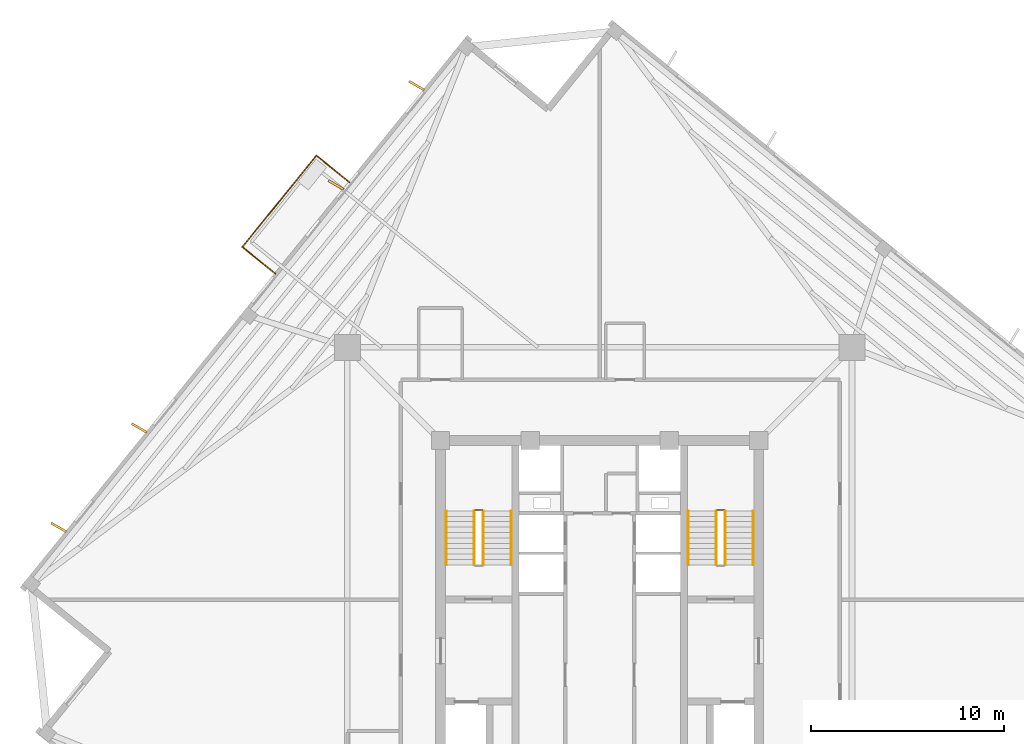
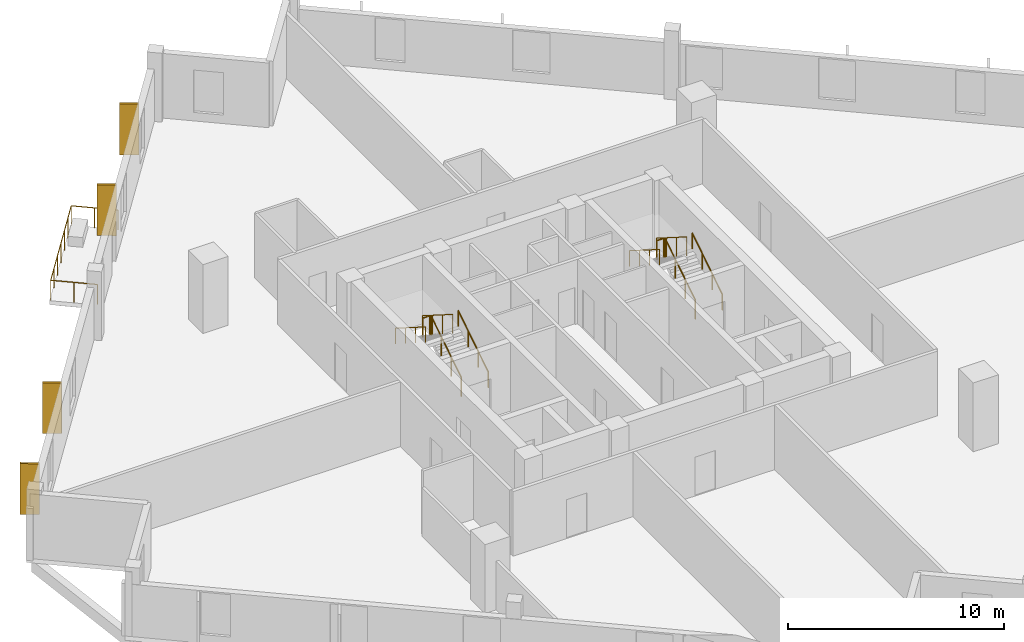
# One storey, part 8 of 9: 13 railings, 4 coverings.
"""IFC4 building model written with IfcOpenShell, lengths in metres."""

from ifc_helpers import new_model, si_unit, direction, frame, origin, origin_2d, place, context, subcontext, project, spatial, rectangle, circle, extrude, source, transform, mapped, material, layer, layer_set, type_object, element, save


model = new_model("IFC4")

# Units and contexts
model_context = context("Model", 3, precision=1e-05, world=origin(), true_north=direction((0.0, 1.0)))
body_context = subcontext(model_context, "Body", "Model", "MODEL_VIEW")
ifc_project = project(units=[si_unit("LENGTHUNIT", "METRE"), si_unit("AREAUNIT", "SQUARE_METRE"), si_unit("VOLUMEUNIT", "CUBIC_METRE"), si_unit("PLANEANGLEUNIT", "RADIAN"), si_unit("MASSUNIT", "GRAM", prefix="KILO"), si_unit("THERMODYNAMICTEMPERATUREUNIT", "KELVIN")], contexts=[model_context])

# Site, building, storey
site_placement = place(None, origin())
site = spatial("IfcSite", under=ifc_project, at=site_placement, CompositionType="ELEMENT")
building_placement = place(site_placement, origin())
building = spatial("IfcBuilding", under=site, at=building_placement, Name="Kosmvard Interchange Tower", CompositionType="ELEMENT")
storey_placement = place(building_placement, frame((0.0, 0.0, 248.5)))
storey = spatial("IfcBuildingStorey", under=building, at=storey_placement, Name="L60", CompositionType="ELEMENT", Elevation=248.5)

# Railings
ifc_material_1 = material(Name="Steel S355", Category="steel")
railing_type_1 = type_object("IfcRailingType", Name="Observation & Balcony Glass-Infill Balustrade 1150", PredefinedType="BALUSTRADE", material=ifc_material_1)
shared_shape_1 = source(origin(), body_context, "Body", "SweptSolid", [
    extrude(circle(Radius=0.02392578125, at=origin_2d()), frame((0.0, 0.0, 1.1259765625), z_axis=(0.777195763313, -0.629258885904, 0.0), x_axis=(0.629258885904, 0.777195763313, 0.0)), (0.0, 0.0, 1.0), 2.199951171875),
    extrude(circle(Radius=0.02099609375, at=origin_2d()), origin(), (0.0, 0.0, 1.0), 1.101806640625),
    extrude(circle(Radius=0.02099609375, at=origin_2d()), frame((0.85498046875, -0.692138671875, 0.0)), (0.0, 0.0, 1.0), 1.101806640625),
    extrude(circle(Radius=0.02099609375, at=origin_2d()), frame((1.709716796875, -1.38427734375, 0.0)), (0.0, 0.0, 1.0), 1.101806640625),
])
railing_1_placement = place(storey_placement, frame((-18.523193359375, 18.281005859375, 0.0)))
element("IfcRailing", 1, at=railing_1_placement, inside=storey, type_object=railing_type_1, Name="L60 Outdoor Terrace Guard BAL-L60-N-C", PredefinedType="BALUSTRADE", context=body_context, shape_type="MappedRepresentation", body=[
    mapped(shared_shape_1, transform((0.0, 0.0, 0.0), scale=1.0)),
])
shared_shape_2 = source(origin(), body_context, "Body", "SweptSolid", [
    extrude(circle(Radius=0.02392578125, at=origin_2d()), frame((0.0, 0.0, 1.1259765625), z_axis=(-0.777141488432, 0.629325914736, 0.0), x_axis=(-0.629325914736, -0.777141488432, 0.0)), (0.0, 0.0, 1.0), 2.199951171875),
    extrude(circle(Radius=0.02099609375, at=origin_2d()), origin(), (0.0, 0.0, 1.0), 1.101806640625),
    extrude(circle(Radius=0.02099609375, at=origin_2d()), frame((-0.85498046875, 0.6923828125, 0.0)), (0.0, 0.0, 1.0), 1.101806640625),
    extrude(circle(Radius=0.02099609375, at=origin_2d()), frame((-1.709716796875, 1.384521484375, 0.0)), (0.0, 0.0, 1.0), 1.101806640625),
])
railing_2_placement = place(storey_placement, frame((-12.974853515625, 21.63720703125, 0.0)))
element("IfcRailing", 2, at=railing_2_placement, inside=storey, type_object=railing_type_1, Name="L60 Outdoor Terrace Guard BAL-L60-N-A", PredefinedType="BALUSTRADE", context=body_context, shape_type="MappedRepresentation", body=[
    mapped(shared_shape_2, transform((0.0, 0.0, 0.0), scale=1.0)),
])

# Coverings
ifc_material_2 = material(Name="Architectural anodised aluminium", Category="aluminium")
ifc_layer = layer(ifc_material_2, 0.1201171875, Name="Architectural anodised aluminium")
ifc_layer_set = layer_set([ifc_layer], Name="Architectural anodised aluminium")
covering_type = type_object("IfcCoveringType", Name="Rotating Vertical Sun-Breaker Fin 900x120 Aluminium", PredefinedType="CLADDING", material=ifc_layer_set)
shared_shape_3 = source(origin(), body_context, "Body", "SweptSolid", [
    extrude(rectangle(XDim=0.89990234375, YDim=0.1201171875, at=origin_2d()), origin(), (0.0, 0.0, 1.0), 2.8798828125),
])
for number, where, z_axis, x_axis, name in (
    (3, (-9.494384765625, 26.650146484375, 0.0400390625), (0.0, 0.0, 1.0), (-0.864186995248, 0.503170783377, 0.0), "L60 Rotating Vertical Sun-Breaker Fin 09"),
    (4, (-13.66748046875, 21.49658203125, 0.0400390625), (0.0, 0.0, 1.0), (-0.864186995248, 0.503170783377, 0.0), "L60 Rotating Vertical Sun-Breaker Fin 10"),
    (5, (-23.86865234375, 8.8994140625, 0.0400390625), (0.0, 0.0, 1.0), (-0.864186995248, 0.503170783377, 0.0), "L60 Rotating Vertical Sun-Breaker Fin 11"),
    (6, (-28.041748046875, 3.74609375, 0.0400390625), (0.0, 0.0, 1.0), (-0.864186995248, 0.503170783377, 0.0), "L60 Rotating Vertical Sun-Breaker Fin 12"),
):
    element("IfcCovering", number, at=place(storey_placement, frame(where, z_axis=z_axis, x_axis=x_axis)), inside=storey, type_object=covering_type, Name=name, PredefinedType="CLADDING", context=body_context, shape_type="MappedRepresentation", body=[
        mapped(shared_shape_3, transform((0.0, 0.0, 0.0), scale=1.0)),
    ])

# Railings
shared_shape_4 = source(origin(), body_context, "Body", "SweptSolid", [
    extrude(circle(Radius=0.02392578125, at=origin_2d()), frame((0.0, 0.0, 1.1259765625), z_axis=(-0.629286879001, -0.777173097783, 0.0), x_axis=(0.777173097783, -0.629286879001, 0.0)), (0.0, 0.0, 1.0), 6.099853515625),
    extrude(circle(Radius=0.02099609375, at=origin_2d()), origin(), (0.0, 0.0, 1.0), 1.101806640625),
    extrude(circle(Radius=0.02099609375, at=origin_2d()), frame((-0.6396484375, -0.7900390625, 0.0)), (0.0, 0.0, 1.0), 1.101806640625),
    extrude(circle(Radius=0.02099609375, at=origin_2d()), frame((-1.279541015625, -1.580322265625, 0.0)), (0.0, 0.0, 1.0), 1.101806640625),
    extrude(circle(Radius=0.02099609375, at=origin_2d()), frame((-1.91943359375, -2.370361328125, 0.0)), (0.0, 0.0, 1.0), 1.101806640625),
    extrude(circle(Radius=0.02099609375, at=origin_2d()), frame((-2.55908203125, -3.160400390625, 0.0)), (0.0, 0.0, 1.0), 1.101806640625),
    extrude(circle(Radius=0.02099609375, at=origin_2d()), frame((-3.19873046875, -3.95068359375, 0.0)), (0.0, 0.0, 1.0), 1.101806640625),
    extrude(circle(Radius=0.02099609375, at=origin_2d()), frame((-3.838623046875, -4.74072265625, 0.0)), (0.0, 0.0, 1.0), 1.101806640625),
])
railing_3_placement = place(storey_placement, frame((-14.6845703125, 23.021728515625, 0.0)))
element("IfcRailing", 7, at=railing_3_placement, inside=storey, type_object=railing_type_1, Name="L60 Outdoor Terrace Guard BAL-L60-N-B", PredefinedType="BALUSTRADE", context=body_context, shape_type="MappedRepresentation", body=[
    mapped(shared_shape_4, transform((0.0, 0.0, 0.0), scale=1.0)),
])
railing_type_2 = type_object("IfcRailingType", Name="Stair & Terrace Safety Guardrail 1100 Steel", PredefinedType="GUARDRAIL", material=ifc_material_1)
shared_shape_5 = source(origin(), body_context, "Body", "SweptSolid", [
    extrude(circle(Radius=0.02392578125, at=origin_2d()), frame((0.0, 0.0, 1.076171875), z_axis=(-1.0, 0.0, 0.0), x_axis=(0.0, -1.0, 0.0)), (0.0, 0.0, 1.0), 0.35986328125),
    extrude(circle(Radius=0.02099609375, at=origin_2d()), origin(), (0.0, 0.0, 1.0), 1.052001953125),
    extrude(circle(Radius=0.02099609375, at=origin_2d()), frame((-0.35986328125, 0.0, 0.0)), (0.0, 0.0, 1.0), 1.052001953125),
])
for number, where, name in (
    (8, (-6.090087890625, 4.64990234375, 1.949951171875), "L60 ST-1 stair guard 2"),
    (9, (6.449951171875, 4.64990234375, 1.949951171875), "L60 ST-2 stair guard 2"),
):
    element("IfcRailing", number, at=place(storey_placement, frame(where)), inside=storey, type_object=railing_type_2, Name=name, PredefinedType="GUARDRAIL", context=body_context, shape_type="MappedRepresentation", body=[
        mapped(shared_shape_5, transform((0.0, 0.0, 0.0), scale=1.0)),
    ])
shared_shape_6 = source(origin(), body_context, "Body", "SweptSolid", [
    extrude(circle(Radius=0.02392578125, at=origin_2d()), frame((0.0, 0.0, 1.076171875), z_axis=(0.0, 0.844908973607, 0.534910110503), x_axis=(-1.0, 0.0, 0.0)), (0.0, 0.0, 1.0), 3.31396484375),
    extrude(circle(Radius=0.02099609375, at=origin_2d()), origin(), (0.0, 0.0, 1.0), 1.052001953125),
    extrude(circle(Radius=0.02099609375, at=origin_2d()), frame((0.0, 0.933349609375, 0.5908203125)), (0.0, 0.0, 1.0), 1.052001953125),
    extrude(circle(Radius=0.02099609375, at=origin_2d()), frame((0.0, 1.86669921875, 1.181884765625)), (0.0, 0.0, 1.0), 1.052001953125),
    extrude(circle(Radius=0.02099609375, at=origin_2d()), frame((0.0, 2.800048828125, 1.772705078125)), (0.0, 0.0, 1.0), 1.052001953125),
])
for number, where, name in (
    (10, (-6.0400390625, 1.800048828125, 0.17724609375), "L60 ST-1 stair guard 1"),
    (11, (6.5, 1.800048828125, 0.17724609375), "L60 ST-2 stair guard 1"),
):
    element("IfcRailing", number, at=place(storey_placement, frame(where)), inside=storey, type_object=railing_type_2, Name=name, PredefinedType="GUARDRAIL", context=body_context, shape_type="MappedRepresentation", body=[
        mapped(shared_shape_6, transform((0.0, 0.0, 0.0), scale=1.0)),
    ])
shared_shape_7 = source(origin(), body_context, "Body", "SweptSolid", [
    extrude(circle(Radius=0.02392578125, at=origin_2d()), frame((0.0, 0.0, 1.076171875), z_axis=(0.0, -0.844908973607, 0.534910110503), x_axis=(1.0, 0.0, 0.0)), (0.0, 0.0, 1.0), 3.31396484375),
    extrude(circle(Radius=0.02099609375, at=origin_2d()), origin(), (0.0, 0.0, 1.0), 1.052001953125),
    extrude(circle(Radius=0.02099609375, at=origin_2d()), frame((0.0, -0.933349609375, 0.5908203125)), (0.0, 0.0, 1.0), 1.052001953125),
    extrude(circle(Radius=0.02099609375, at=origin_2d()), frame((0.0, -1.86669921875, 1.181884765625)), (0.0, 0.0, 1.0), 1.052001953125),
    extrude(circle(Radius=0.02099609375, at=origin_2d()), frame((0.0, -2.800048828125, 1.772705078125)), (0.0, 0.0, 1.0), 1.052001953125),
])
for number, where, name in (
    (12, (-6.5, 4.60009765625, 2.127197265625), "L60 ST-1 stair guard 3"),
    (13, (6.0400390625, 4.60009765625, 2.127197265625), "L60 ST-2 stair guard 3"),
):
    element("IfcRailing", number, at=place(storey_placement, frame(where)), inside=storey, type_object=railing_type_2, Name=name, PredefinedType="GUARDRAIL", context=body_context, shape_type="MappedRepresentation", body=[
        mapped(shared_shape_7, transform((0.0, 0.0, 0.0), scale=1.0)),
    ])
railing_type_3 = type_object("IfcRailingType", Name="Wall-Mounted Stair Handrail 900 Steel", PredefinedType="HANDRAIL", material=ifc_material_1)
shared_shape_8 = source(origin(), body_context, "Body", "SweptSolid", [
    extrude(circle(Radius=0.02392578125, at=origin_2d()), frame((0.0, 0.0, 0.8759765625), z_axis=(0.0, 0.844908973607, 0.534910110503), x_axis=(-1.0, 0.0, 0.0)), (0.0, 0.0, 1.0), 3.31396484375),
    extrude(circle(Radius=0.02099609375, at=origin_2d()), origin(), (0.0, 0.0, 1.0), 0.851806640625),
    extrude(circle(Radius=0.02099609375, at=origin_2d()), frame((0.0, 0.933349609375, 0.5908203125)), (0.0, 0.0, 1.0), 0.851806640625),
    extrude(circle(Radius=0.02099609375, at=origin_2d()), frame((0.0, 1.86669921875, 1.181884765625)), (0.0, 0.0, 1.0), 0.851806640625),
    extrude(circle(Radius=0.02099609375, at=origin_2d()), frame((0.0, 2.800048828125, 1.772705078125)), (0.0, 0.0, 1.0), 0.851806640625),
])
for number, where, name in (
    (14, (-4.590087890625, 1.800048828125, 0.17724609375), "L60 ST-1 stair handrail 1"),
    (15, (7.949951171875, 1.800048828125, 0.17724609375), "L60 ST-2 stair handrail 1"),
):
    element("IfcRailing", number, at=place(storey_placement, frame(where)), inside=storey, type_object=railing_type_3, Name=name, PredefinedType="HANDRAIL", context=body_context, shape_type="MappedRepresentation", body=[
        mapped(shared_shape_8, transform((0.0, 0.0, 0.0), scale=1.0)),
    ])
shared_shape_9 = source(origin(), body_context, "Body", "SweptSolid", [
    extrude(circle(Radius=0.02392578125, at=origin_2d()), frame((0.0, 0.0, 0.8759765625), z_axis=(0.0, -0.844908973607, 0.534910110503), x_axis=(1.0, 0.0, 0.0)), (0.0, 0.0, 1.0), 3.31396484375),
    extrude(circle(Radius=0.02099609375, at=origin_2d()), origin(), (0.0, 0.0, 1.0), 0.851806640625),
    extrude(circle(Radius=0.02099609375, at=origin_2d()), frame((0.0, -0.933349609375, 0.5908203125)), (0.0, 0.0, 1.0), 0.851806640625),
    extrude(circle(Radius=0.02099609375, at=origin_2d()), frame((0.0, -1.86669921875, 1.181884765625)), (0.0, 0.0, 1.0), 0.851806640625),
    extrude(circle(Radius=0.02099609375, at=origin_2d()), frame((0.0, -2.800048828125, 1.772705078125)), (0.0, 0.0, 1.0), 0.851806640625),
])
for number, where, name in (
    (16, (-7.949951171875, 4.60009765625, 2.127197265625), "L60 ST-1 stair handrail 2"),
    (17, (4.590087890625, 4.60009765625, 2.127197265625), "L60 ST-2 stair handrail 2"),
):
    element("IfcRailing", number, at=place(storey_placement, frame(where)), inside=storey, type_object=railing_type_3, Name=name, PredefinedType="HANDRAIL", context=body_context, shape_type="MappedRepresentation", body=[
        mapped(shared_shape_9, transform((0.0, 0.0, 0.0), scale=1.0)),
    ])

save(model, "model.ifc")
